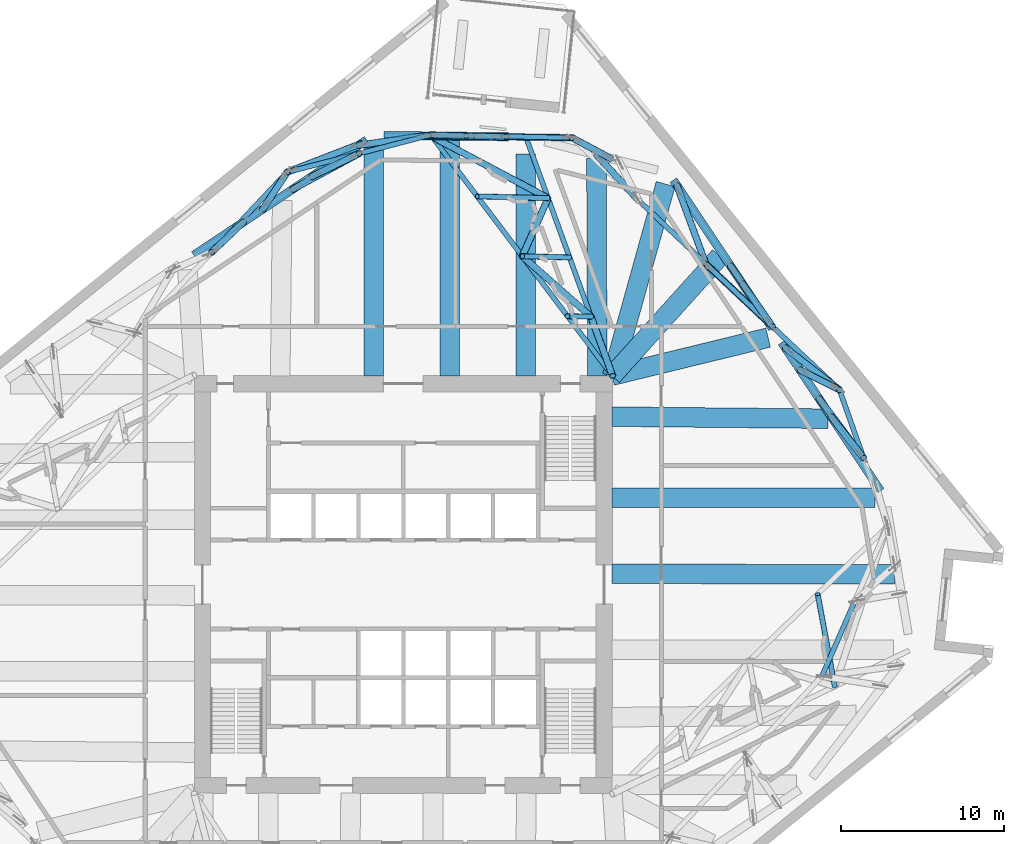
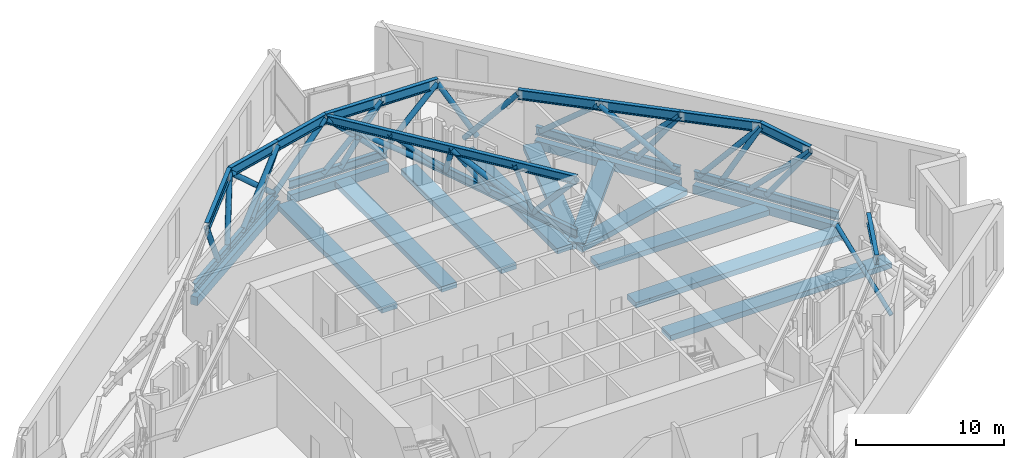
# One storey, part 3 of 17: 30 beams, 30 members.
"""IFC4 building model written with IfcOpenShell, lengths in metres."""

from ifc_helpers import new_model, si_unit, direction, frame, origin, origin_2d, place, context, subcontext, project, spatial, rectangle, hollow_circle, i_section, extrude, material, material_profile, profile_set, type_object, element, save


model = new_model("IFC4")

# Units and contexts
model_context = context("Model", 3, precision=1e-05, world=origin(), true_north=direction((0.0, 1.0)))
body_context = subcontext(model_context, "Body", "Model", "MODEL_VIEW")
ifc_project = project(units=[si_unit("LENGTHUNIT", "METRE"), si_unit("AREAUNIT", "SQUARE_METRE"), si_unit("VOLUMEUNIT", "CUBIC_METRE"), si_unit("PLANEANGLEUNIT", "RADIAN"), si_unit("MASSUNIT", "GRAM", prefix="KILO")], contexts=[model_context])

# Site, building, storey
site_placement = place(None, origin())
site = spatial("IfcSite", under=ifc_project, at=site_placement, CompositionType="ELEMENT")
building_placement = place(site_placement, origin())
building = spatial("IfcBuilding", under=site, at=building_placement, Name="Dilmun Exchange Tower", CompositionType="ELEMENT")
storey_placement = place(building_placement, frame((0.0, 0.0, 183.699951171875)))
storey = spatial("IfcBuildingStorey", under=building, at=storey_placement, Name="L43", CompositionType="ELEMENT", Elevation=183.699951171875)

# Beams
ifc_material_1 = material(Name="Concrete C40/50", Category="concrete")
ifc_material_profile_1 = material_profile(ifc_material_1, rectangle(XDim=1.199951171875, YDim=0.449951171875, at=origin_2d()), Name="1200 x 450")
ifc_profile_set_1 = profile_set([ifc_material_profile_1], Name="Concrete C40/50")
beam_type_1 = type_object("IfcBeamType", Name="RC band beam 1200 x 450 C40/50", PredefinedType="BEAM", material=ifc_profile_set_1)
beam_1_placement = place(storey_placement, frame((7.506103515625, 26.355224609375, -0.724853515625), z_axis=(0.0, -1.0, 0.0), x_axis=(1.0, 0.0, 0.0)))
element("IfcBeam", 1, at=beam_1_placement, inside=storey, type_object=beam_type_1, Name="Band beam 1", PredefinedType="BEAM", context=body_context, shape_type="SweptSolid", body=[
    extrude(rectangle(XDim=1.199951171875, YDim=0.449951171875, at=origin_2d()), origin(), (0.0, 0.0, 1.0), 13.582275390625),
])
beam_2_placement = place(storey_placement, frame((-1.818115234375, 26.87890625, -0.724853515625), z_axis=(0.0, -1.0, 0.0), x_axis=(1.0, 0.0, 0.0)))
element("IfcBeam", 2, at=beam_2_placement, inside=storey, type_object=beam_type_1, Name="Band beam 2", PredefinedType="BEAM", context=body_context, shape_type="SweptSolid", body=[
    extrude(rectangle(XDim=1.199951171875, YDim=0.449951171875, at=origin_2d()), origin(), (0.0, 0.0, 1.0), 14.10595703125),
])
beam_3_placement = place(storey_placement, frame((28.8759765625, 5.31201171875, -0.724853515625), z_axis=(-1.0, 0.0, 0.0), x_axis=(0.0, -1.0, 0.0)))
element("IfcBeam", 3, at=beam_3_placement, inside=storey, type_object=beam_type_1, Name="Band beam 14", PredefinedType="BEAM", context=body_context, shape_type="SweptSolid", body=[
    extrude(rectangle(XDim=1.199951171875, YDim=0.449951171875, at=origin_2d()), origin(), (0.0, 0.0, 1.0), 16.10302734375),
])
beam_4_placement = place(storey_placement, frame((22.33837890625, 15.122802734375, -0.724853515625), z_axis=(-0.971607999859, -0.236596480554, 0.0), x_axis=(0.236596480554, -0.971607999859, 0.0)))
element("IfcBeam", 4, at=beam_4_placement, inside=storey, type_object=beam_type_1, Name="Band beam 15", PredefinedType="BEAM", context=body_context, shape_type="SweptSolid", body=[
    extrude(rectangle(XDim=1.199951171875, YDim=0.449951171875, at=origin_2d()), origin(), (0.0, 0.0, 1.0), 9.84423828125),
])
beam_5_placement = place(storey_placement, frame((16.064453125, 24.524658203125, -0.724853515625), z_axis=(-0.268225004284, -0.963356292904, 0.0), x_axis=(0.963356292904, -0.268225004284, 0.0)))
element("IfcBeam", 5, at=beam_5_placement, inside=storey, type_object=beam_type_1, Name="Band beam 16", PredefinedType="BEAM", context=body_context, shape_type="SweptSolid", body=[
    extrude(rectangle(XDim=1.199951171875, YDim=0.449951171875, at=origin_2d()), origin(), (0.0, 0.0, 1.0), 12.19775390625),
])
beam_6_placement = place(storey_placement, frame((2.841552734375, 27.238525390625, -0.625), z_axis=(0.00016877352, -0.999999985758, 0.0), x_axis=(0.999999985758, 0.00016877352, 0.0)))
element("IfcBeam", 6, at=beam_6_placement, inside=storey, type_object=beam_type_1, Name="Band beam 17", PredefinedType="BEAM", context=body_context, shape_type="SweptSolid", body=[
    extrude(rectangle(XDim=1.199951171875, YDim=0.449951171875, at=origin_2d()), origin(), (0.0, 0.0, 1.0), 14.465576171875),
])
beam_7_placement = place(storey_placement, frame((30.07470703125, 0.6279296875, -0.625), z_axis=(-0.999997699854, 0.002144827713, 0.0), x_axis=(-0.002144827713, -0.999997699854, 0.0)))
element("IfcBeam", 7, at=beam_7_placement, inside=storey, type_object=beam_type_1, Name="Band beam 29", PredefinedType="BEAM", context=body_context, shape_type="SweptSolid", body=[
    extrude(rectangle(XDim=1.199951171875, YDim=0.449951171875, at=origin_2d()), origin(), (0.0, 0.0, 1.0), 17.3017578125),
])
beam_8_placement = place(storey_placement, frame((26.010009765625, 10.159912109375, -0.625), z_axis=(-0.999956454863, 0.009332115424, 0.0), x_axis=(-0.009332115424, -0.999956454863, 0.0)))
element("IfcBeam", 8, at=beam_8_placement, inside=storey, type_object=beam_type_1, Name="Band beam 30", PredefinedType="BEAM", context=body_context, shape_type="SweptSolid", body=[
    extrude(rectangle(XDim=1.199951171875, YDim=0.449951171875, at=origin_2d()), origin(), (0.0, 0.0, 1.0), 13.237548828125),
])
beam_9_placement = place(storey_placement, frame((19.381103515625, 20.102783203125, -0.625), z_axis=(-0.669462647611, -0.742845719819, 0.0), x_axis=(0.742845719819, -0.669462647611, 0.0)))
element("IfcBeam", 9, at=beam_9_placement, inside=storey, type_object=beam_type_1, Name="Band beam 31", PredefinedType="BEAM", context=body_context, shape_type="SweptSolid", body=[
    extrude(rectangle(XDim=1.199951171875, YDim=0.449951171875, at=origin_2d()), origin(), (0.0, 0.0, 1.0), 9.857666015625),
])
beam_10_placement = place(storey_placement, frame((11.82421875, 26.087890625, -0.625), z_axis=(0.004107193345, -0.999991565446, 0.0), x_axis=(0.999991565446, 0.004107193345, 0.0)))
element("IfcBeam", 10, at=beam_10_placement, inside=storey, type_object=beam_type_1, Name="Band beam 32", PredefinedType="BEAM", context=body_context, shape_type="SweptSolid", body=[
    extrude(rectangle(XDim=1.199951171875, YDim=0.449951171875, at=origin_2d()), origin(), (0.0, 0.0, 1.0), 13.31494140625),
])
ifc_material_profile_2 = material_profile(ifc_material_1, rectangle(XDim=0.5, YDim=0.699951171875, at=origin_2d()), Name="500 x 700")
ifc_profile_set_2 = profile_set([ifc_material_profile_2], Name="Concrete C40/50")
beam_type_2 = type_object("IfcBeamType", Name="RC ring beam 500 x 700 C40/50", PredefinedType="SPANDREL", material=ifc_profile_set_2)
beam_11_placement = place(storey_placement, frame((6.443359375, 27.421630859375, -0.75), z_axis=(-0.999938955437, 0.011049226175, 0.0), x_axis=(-0.011049226175, -0.999938955437, 0.0)))
element("IfcBeam", 11, at=beam_11_placement, inside=storey, type_object=beam_type_2, Name="Ring beam 1", PredefinedType="SPANDREL", context=body_context, shape_type="SweptSolid", body=[
    extrude(rectangle(XDim=0.5, YDim=0.699951171875, at=origin_2d()), origin(), (0.0, 0.0, 1.0), 7.623046875),
])
beam_12_placement = place(storey_placement, frame((-2.253173828125, 27.222900390625, -0.75), z_axis=(-0.832002986666, -0.554771151177, 0.0), x_axis=(0.554771151177, -0.832002986666, 0.0)))
element("IfcBeam", 12, at=beam_12_placement, inside=storey, type_object=beam_type_2, Name="Ring beam 2", PredefinedType="SPANDREL", context=body_context, shape_type="SweptSolid", body=[
    extrude(rectangle(XDim=0.5, YDim=0.699951171875, at=origin_2d()), origin(), (0.0, 0.0, 1.0), 12.7041015625),
])
for number, where, z_axis, x_axis, name in (
    (13, (29.219970703125, 5.747314453125, -0.75), (-0.554731197186, 0.832029626196, 0.0), (-0.832029626196, -0.554731197186, 0.0), "Ring beam 14"),
    (14, (22.5908203125, 15.690185546875, -0.75), (-0.554731197186, 0.832029626196, 0.0), (-0.832029626196, -0.554731197186, 0.0), "Ring beam 15"),
):
    element("IfcBeam", number, at=place(storey_placement, frame(where, z_axis=z_axis, x_axis=x_axis)), inside=storey, type_object=beam_type_2, Name=name, PredefinedType="SPANDREL", context=body_context, shape_type="SweptSolid", body=[
        extrude(rectangle(XDim=0.5, YDim=0.699951171875, at=origin_2d()), origin(), (0.0, 0.0, 1.0), 10.904052734375),
    ])
ifc_material_2 = material(Name="Steel S355", Category="steel")
ifc_material_profile_3 = material_profile(ifc_material_2, i_section(OverallWidth=0.300048828125, OverallDepth=0.699951171875, WebThickness=0.01708984375, FlangeThickness=0.031982421875, FilletRadius=0.027099609375, at=origin_2d()), Name="HEB 700")
ifc_profile_set_3 = profile_set([ifc_material_profile_3], Name="Steel S355")
beam_type_3 = type_object("IfcBeamType", Name="belt bottom chord HEB 700", PredefinedType="BEAM", material=ifc_profile_set_3)
beam_13_placement = place(storey_placement, frame((6.443359375, 27.421630859375, 0.35009765625), z_axis=(-0.999938955437, 0.011049226175, 0.0), x_axis=(-0.011049226175, -0.999938955437, 0.0)))
element("IfcBeam", 15, at=beam_13_placement, inside=storey, type_object=beam_type_3, Name="Belt bottom chord 1", PredefinedType="BEAM", context=body_context, shape_type="SweptSolid", body=[
    extrude(i_section(OverallWidth=0.300048828125, OverallDepth=0.699951171875, WebThickness=0.01708984375, FlangeThickness=0.031982421875, FilletRadius=0.027099609375, at=origin_2d()), origin(), (0.0, 0.0, 1.0), 7.623046875),
])
beam_14_placement = place(storey_placement, frame((-2.253173828125, 27.222900390625, 0.35009765625), z_axis=(-0.832002986666, -0.554771151177, 0.0), x_axis=(0.554771151177, -0.832002986666, 0.0)))
element("IfcBeam", 16, at=beam_14_placement, inside=storey, type_object=beam_type_3, Name="Belt bottom chord 2", PredefinedType="BEAM", context=body_context, shape_type="SweptSolid", body=[
    extrude(i_section(OverallWidth=0.300048828125, OverallDepth=0.699951171875, WebThickness=0.01708984375, FlangeThickness=0.031982421875, FilletRadius=0.027099609375, at=origin_2d()), origin(), (0.0, 0.0, 1.0), 12.7041015625),
])
for number, where, z_axis, x_axis, name in (
    (17, (29.219970703125, 5.747314453125, 0.35009765625), (-0.554731197186, 0.832029626196, 0.0), (-0.832029626196, -0.554731197186, 0.0), "Belt bottom chord 14"),
    (18, (22.5908203125, 15.690185546875, 0.35009765625), (-0.554731197186, 0.832029626196, 0.0), (-0.832029626196, -0.554731197186, 0.0), "Belt bottom chord 15"),
):
    element("IfcBeam", number, at=place(storey_placement, frame(where, z_axis=z_axis, x_axis=x_axis)), inside=storey, type_object=beam_type_3, Name=name, PredefinedType="BEAM", context=body_context, shape_type="SweptSolid", body=[
        extrude(i_section(OverallWidth=0.300048828125, OverallDepth=0.699951171875, WebThickness=0.01708984375, FlangeThickness=0.031982421875, FilletRadius=0.027099609375, at=origin_2d()), origin(), (0.0, 0.0, 1.0), 10.904052734375),
    ])
ifc_material_profile_4 = material_profile(ifc_material_2, i_section(OverallWidth=0.300048828125, OverallDepth=0.699951171875, WebThickness=0.01708984375, FlangeThickness=0.031982421875, FilletRadius=0.027099609375, at=origin_2d()), Name="HEB 700")
ifc_profile_set_4 = profile_set([ifc_material_profile_4], Name="Steel S355")
beam_type_4 = type_object("IfcBeamType", Name="outrigger chord HEB 700", PredefinedType="BEAM", material=ifc_profile_set_4)
beam_15_placement = place(storey_placement, frame((12.80908203125, 12.774658203125, 0.35009765625), z_axis=(-0.340674092314, 0.940181452075, 0.0), x_axis=(-0.940181452075, -0.340674092314, 0.0)))
element("IfcBeam", 19, at=beam_15_placement, inside=storey, type_object=beam_type_4, Name="Outrigger bottom chord 1", PredefinedType="BEAM", context=body_context, shape_type="SweptSolid", body=[
    extrude(i_section(OverallWidth=0.300048828125, OverallDepth=0.699951171875, WebThickness=0.01708984375, FlangeThickness=0.031982421875, FilletRadius=0.027099609375, at=origin_2d()), origin(), (0.0, 0.0, 1.0), 15.443603515625),
])
beam_16_placement = place(storey_placement, frame((12.81640625, 12.7783203125, 4.77001953125), z_axis=(-0.602127331281, 0.798400073224, 0.0), x_axis=(-0.798400073224, -0.602127331281, 0.0)))
element("IfcBeam", 20, at=beam_16_placement, inside=storey, type_object=beam_type_4, Name="Outrigger top chord 1", PredefinedType="BEAM", context=body_context, shape_type="SweptSolid", body=[
    extrude(i_section(OverallWidth=0.300048828125, OverallDepth=0.699951171875, WebThickness=0.01708984375, FlangeThickness=0.031982421875, FilletRadius=0.027099609375, at=origin_2d()), origin(), (0.0, 0.0, 1.0), 18.3623046875),
])

# Members
ifc_material_profile_5 = material_profile(ifc_material_2, hollow_circle(Radius=0.161865234375, WallThickness=0.01611328125, at=origin_2d()), Name="CHS 323.9x16")
ifc_profile_set_5 = profile_set([ifc_material_profile_5], Name="Steel S355")
member_type_1 = type_object("IfcMemberType", Name="outrigger post CHS 323.9x16", PredefinedType="POST", material=ifc_profile_set_5)
member_1_placement = place(storey_placement, frame((10.05224609375, 16.443603515625, 4.77001953125), z_axis=(0.310081885212, -0.00840188004, -0.950672726481), x_axis=(0.0270857406, 0.999633114025, 0.0)))
element("IfcMember", 21, at=member_1_placement, inside=storey, type_object=member_type_1, Name="Outrigger post 1.1", PredefinedType="POST", context=body_context, shape_type="SweptSolid", body=[
    extrude(hollow_circle(Radius=0.161865234375, WallThickness=0.01611328125, at=origin_2d()), origin(), (0.0, 0.0, 1.0), 4.649169921875),
])
member_2_placement = place(storey_placement, frame((7.2880859375, 20.1083984375, 4.77001953125), z_axis=(0.547285351764, -0.014005697769, -0.836828885839), x_axis=(0.025582840354, 0.999672705579, 0.0)))
element("IfcMember", 22, at=member_2_placement, inside=storey, type_object=member_type_1, Name="Outrigger post 1.2", PredefinedType="POST", context=body_context, shape_type="SweptSolid", body=[
    extrude(hollow_circle(Radius=0.161865234375, WallThickness=0.01611328125, at=origin_2d()), origin(), (0.0, 0.0, 1.0), 5.28173828125),
])
member_3_placement = place(storey_placement, frame((4.52392578125, 23.773681640625, 4.77001953125), z_axis=(0.700464096448, -0.017655447013, -0.713469224829), x_axis=(0.025197353344, 0.999682496288, 0.0)))
element("IfcMember", 23, at=member_3_placement, inside=storey, type_object=member_type_1, Name="Outrigger post 1.3", PredefinedType="POST", context=body_context, shape_type="SweptSolid", body=[
    extrude(hollow_circle(Radius=0.161865234375, WallThickness=0.01611328125, at=origin_2d()), origin(), (0.0, 0.0, 1.0), 6.195068359375),
])
member_4_placement = place(storey_placement, frame((25.372314453125, -0.583251953125, 4.77001953125), z_axis=(0.144598346735, -0.779153300311, -0.609927415957), x_axis=(0.983211733751, 0.182468316741, 0.0)))
element("IfcMember", 24, at=member_4_placement, inside=storey, type_object=member_type_1, Name="Outrigger post 4.3", PredefinedType="POST", context=body_context, shape_type="SweptSolid", body=[
    extrude(hollow_circle(Radius=0.161865234375, WallThickness=0.01611328125, at=origin_2d()), origin(), (0.0, 0.0, 1.0), 7.24658203125),
])

# Beams
ifc_material_profile_6 = material_profile(ifc_material_2, i_section(OverallWidth=0.302978515625, OverallDepth=0.81396484375, WebThickness=0.02099609375, FlangeThickness=0.0400390625, FilletRadius=0.030029296875, at=origin_2d()), Name="HEM 800")
ifc_profile_set_6 = profile_set([ifc_material_profile_6], Name="Steel S355")
beam_type_5 = type_object("IfcBeamType", Name="transfer chord HEM 800", PredefinedType="BEAM", material=ifc_profile_set_6)
beam_17_placement = place(storey_placement, frame((1.68505859375, 27.5380859375, 4.81298828125), z_axis=(-0.967991581128, -0.250982666465, 0.0), x_axis=(0.250982666465, -0.967991581128, 0.0)))
element("IfcBeam", 25, at=beam_17_placement, inside=storey, type_object=beam_type_5, Name="Transfer chord 1", PredefinedType="BEAM", context=body_context, shape_type="SweptSolid", body=[
    extrude(i_section(OverallWidth=0.302978515625, OverallDepth=0.81396484375, WebThickness=0.02099609375, FlangeThickness=0.0400390625, FilletRadius=0.030029296875, at=origin_2d()), origin(), (0.0, 0.0, 1.0), 4.544677734375),
])
beam_18_placement = place(storey_placement, frame((-2.714111328125, 26.3974609375, 4.81298828125), z_axis=(-0.968001248431, -0.250945378589, 0.0), x_axis=(0.250945378589, -0.968001248431, 0.0)))
element("IfcBeam", 26, at=beam_18_placement, inside=storey, type_object=beam_type_5, Name="Transfer chord 2", PredefinedType="BEAM", context=body_context, shape_type="SweptSolid", body=[
    extrude(i_section(OverallWidth=0.302978515625, OverallDepth=0.81396484375, WebThickness=0.02099609375, FlangeThickness=0.0400390625, FilletRadius=0.030029296875, at=origin_2d()), origin(), (0.0, 0.0, 1.0), 4.54443359375),
])
beam_19_placement = place(storey_placement, frame((-7.113037109375, 25.257080078125, 4.81298828125), z_axis=(-0.685892507257, -0.727702871019, 0.0), x_axis=(0.727702871019, -0.685892507257, 0.0)))
element("IfcBeam", 27, at=beam_19_placement, inside=storey, type_object=beam_type_5, Name="Transfer chord 3", PredefinedType="BEAM", context=body_context, shape_type="SweptSolid", body=[
    extrude(i_section(OverallWidth=0.302978515625, OverallDepth=0.81396484375, WebThickness=0.02099609375, FlangeThickness=0.0400390625, FilletRadius=0.030029296875, at=origin_2d()), origin(), (0.0, 0.0, 1.0), 6.750244140625),
])
beam_20_placement = place(storey_placement, frame((25.633056640625, -5.60888671875, 4.81298828125), z_axis=(0.401224690202, 0.915979665698, 0.0), x_axis=(-0.915979665698, 0.401224690202, 0.0)))
element("IfcBeam", 28, at=beam_20_placement, inside=storey, type_object=beam_type_5, Name="Transfer chord 23", PredefinedType="BEAM", context=body_context, shape_type="SweptSolid", body=[
    extrude(i_section(OverallWidth=0.302978515625, OverallDepth=0.81396484375, WebThickness=0.02099609375, FlangeThickness=0.0400390625, FilletRadius=0.030029296875, at=origin_2d()), origin(), (0.0, 0.0, 1.0), 5.01708984375),
])
beam_21_placement = place(storey_placement, frame((28.1826171875, 7.756591796875, 4.81298828125), z_axis=(-0.333477627004, 0.942758013643, 0.0), x_axis=(-0.942758013643, -0.333477627004, 0.0)))
element("IfcBeam", 29, at=beam_21_placement, inside=storey, type_object=beam_type_5, Name="Transfer chord 26", PredefinedType="BEAM", context=body_context, shape_type="SweptSolid", body=[
    extrude(i_section(OverallWidth=0.302978515625, OverallDepth=0.81396484375, WebThickness=0.02099609375, FlangeThickness=0.0400390625, FilletRadius=0.030029296875, at=origin_2d()), origin(), (0.0, 0.0, 1.0), 4.427734375),
])
beam_22_placement = place(storey_placement, frame((26.7060546875, 11.930908203125, 4.81298828125), z_axis=(-0.727676059276, 0.685920952266, 0.0), x_axis=(-0.685920952266, -0.727676059276, 0.0)))
element("IfcBeam", 30, at=beam_22_placement, inside=storey, type_object=beam_type_5, Name="Transfer chord 27", PredefinedType="BEAM", context=body_context, shape_type="SweptSolid", body=[
    extrude(i_section(OverallWidth=0.302978515625, OverallDepth=0.81396484375, WebThickness=0.02099609375, FlangeThickness=0.0400390625, FilletRadius=0.030029296875, at=origin_2d()), origin(), (0.0, 0.0, 1.0), 5.624755859375),
])
beam_23_placement = place(storey_placement, frame((22.613037109375, 15.7890625, 4.81298828125), z_axis=(-0.727697723959, 0.685897968028, 0.0), x_axis=(-0.685897968028, -0.727697723959, 0.0)))
element("IfcBeam", 31, at=beam_23_placement, inside=storey, type_object=beam_type_5, Name="Transfer chord 28", PredefinedType="BEAM", context=body_context, shape_type="SweptSolid", body=[
    extrude(i_section(OverallWidth=0.302978515625, OverallDepth=0.81396484375, WebThickness=0.02099609375, FlangeThickness=0.0400390625, FilletRadius=0.030029296875, at=origin_2d()), origin(), (0.0, 0.0, 1.0), 5.62451171875),
])
beam_24_placement = place(storey_placement, frame((18.52001953125, 19.64697265625, 4.81298828125), z_axis=(-0.727673573307, 0.685923589557, 0.0), x_axis=(-0.685923589557, -0.727673573307, 0.0)))
element("IfcBeam", 32, at=beam_24_placement, inside=storey, type_object=beam_type_5, Name="Transfer chord 29", PredefinedType="BEAM", context=body_context, shape_type="SweptSolid", body=[
    extrude(i_section(OverallWidth=0.302978515625, OverallDepth=0.81396484375, WebThickness=0.02099609375, FlangeThickness=0.0400390625, FilletRadius=0.030029296875, at=origin_2d()), origin(), (0.0, 0.0, 1.0), 5.62548828125),
])
for number, where, z_axis, x_axis, name in (
    (33, (10.3330078125, 27.364013671875, 4.81298828125), (-0.999798046094, 0.020096443138, 0.0), (-0.020096443138, -0.999798046094, 0.0), "Transfer chord 31"),
    (34, (6.009033203125, 27.450927734375, 4.81298828125), (-0.999796910274, 0.020152870926, 0.0), (-0.020152870926, -0.999796910274, 0.0), "Transfer chord 32"),
):
    element("IfcBeam", number, at=place(storey_placement, frame(where, z_axis=z_axis, x_axis=x_axis)), inside=storey, type_object=beam_type_5, Name=name, PredefinedType="BEAM", context=body_context, shape_type="SweptSolid", body=[
        extrude(i_section(OverallWidth=0.302978515625, OverallDepth=0.81396484375, WebThickness=0.02099609375, FlangeThickness=0.0400390625, FilletRadius=0.030029296875, at=origin_2d()), origin(), (0.0, 0.0, 1.0), 4.324951171875),
    ])

# Members
ifc_material_profile_7 = material_profile(ifc_material_2, hollow_circle(Radius=0.203125, WallThickness=0.02490234375, at=origin_2d()), Name="CHS 406.4x25")
ifc_profile_set_7 = profile_set([ifc_material_profile_7], Name="Steel S355")
member_type_2 = type_object("IfcMemberType", Name="truss diagonal CHS 406.4x25", PredefinedType="BRACE", material=ifc_profile_set_7)
member_5_placement = place(storey_placement, frame((1.68505859375, 27.5380859375, 4.81298828125), z_axis=(-0.699968587351, -0.100641999463, -0.707046791002), x_axis=(0.14231720757, -0.989821101225, 0.0)))
element("IfcMember", 35, at=member_5_placement, inside=storey, type_object=member_type_2, Name="Truss diagonal 1", PredefinedType="BRACE", context=body_context, shape_type="SweptSolid", body=[
    extrude(hollow_circle(Radius=0.203125, WallThickness=0.02490234375, at=origin_2d()), origin(), (0.0, 0.0, 1.0), 6.31201171875),
])
member_6_placement = place(storey_placement, frame((1.68505859375, 27.5380859375, 4.81298828125), z_axis=(0.71526210166, -0.024742024249, -0.698418182871), x_axis=(0.034570872154, 0.999402248746, 0.0)))
element("IfcMember", 36, at=member_6_placement, inside=storey, type_object=member_type_2, Name="Truss diagonal 2", PredefinedType="BRACE", context=body_context, shape_type="SweptSolid", body=[
    extrude(hollow_circle(Radius=0.203125, WallThickness=0.02490234375, at=origin_2d()), origin(), (0.0, 0.0, 1.0), 3.029296875),
])
member_7_placement = place(storey_placement, frame((3.851806640625, 27.463134765625, 2.697265625), z_axis=(0.715586820113, -0.011594083281, -0.698427576857), x_axis=(0.016200077287, 0.999868770137, 0.0)))
element("IfcMember", 37, at=member_7_placement, inside=storey, type_object=member_type_2, Name="Truss diagonal 2B", PredefinedType="BRACE", context=body_context, shape_type="SweptSolid", body=[
    extrude(hollow_circle(Radius=0.203125, WallThickness=0.02490234375, at=origin_2d()), origin(), (0.0, 0.0, 1.0), 0.5263671875),
])
member_8_placement = place(storey_placement, frame((4.228515625, 27.45703125, 2.32958984375), z_axis=(0.715501179695, -0.012275986982, -0.698503659259), x_axis=(0.017154661507, 0.999852847967, 0.0)))
element("IfcMember", 38, at=member_8_placement, inside=storey, type_object=member_type_2, Name="Truss diagonal 2C", PredefinedType="BRACE", context=body_context, shape_type="SweptSolid", body=[
    extrude(hollow_circle(Radius=0.203125, WallThickness=0.02490234375, at=origin_2d()), origin(), (0.0, 0.0, 1.0), 2.58544921875),
])
member_9_placement = place(storey_placement, frame((-2.714111328125, 26.3974609375, 4.81298828125), z_axis=(-0.526722620756, -0.257156230699, -0.810206118094), x_axis=(0.438724545669, -0.898621596128, 0.0)))
element("IfcMember", 39, at=member_9_placement, inside=storey, type_object=member_type_2, Name="Truss diagonal 3", PredefinedType="BRACE", context=body_context, shape_type="SweptSolid", body=[
    extrude(hollow_circle(Radius=0.203125, WallThickness=0.02490234375, at=origin_2d()), origin(), (0.0, 0.0, 1.0), 5.50830078125),
])
member_10_placement = place(storey_placement, frame((-2.714111328125, 26.3974609375, 4.81298828125), z_axis=(-0.633009340041, -0.341456374118, -0.694770983846), x_axis=(0.474752003269, -0.880119614253, 0.0)))
element("IfcMember", 40, at=member_10_placement, inside=storey, type_object=member_type_2, Name="Truss diagonal 4", PredefinedType="BRACE", context=body_context, shape_type="SweptSolid", body=[
    extrude(hollow_circle(Radius=0.203125, WallThickness=0.02490234375, at=origin_2d()), origin(), (0.0, 0.0, 1.0), 6.423583984375),
])
member_11_placement = place(storey_placement, frame((-7.113037109375, 25.257080078125, 4.81298828125), z_axis=(0.687938109645, 0.265813581381, -0.675340134489), x_axis=(-0.360422063152, 0.932789331196, 0.0)))
element("IfcMember", 41, at=member_11_placement, inside=storey, type_object=member_type_2, Name="Truss diagonal 5", PredefinedType="BRACE", context=body_context, shape_type="SweptSolid", body=[
    extrude(hollow_circle(Radius=0.203125, WallThickness=0.02490234375, at=origin_2d()), origin(), (0.0, 0.0, 1.0), 6.6083984375),
])
member_12_placement = place(storey_placement, frame((-7.113037109375, 25.257080078125, 4.81298828125), z_axis=(-0.285536613552, -0.434380167425, -0.854273207158), x_axis=(0.835628845659, -0.549294485957, 0.0)))
element("IfcMember", 42, at=member_12_placement, inside=storey, type_object=member_type_2, Name="Truss diagonal 6", PredefinedType="BRACE", context=body_context, shape_type="SweptSolid", body=[
    extrude(hollow_circle(Radius=0.203125, WallThickness=0.02490234375, at=origin_2d()), origin(), (0.0, 0.0, 1.0), 5.22412109375),
])
member_13_placement = place(storey_placement, frame((-11.742919921875, 20.344970703125, 4.81298828125), z_axis=(0.374417695199, 0.35525403141, -0.856508005035), x_axis=(-0.688298408045, 0.725427667988, 0.0)))
element("IfcMember", 43, at=member_13_placement, inside=storey, type_object=member_type_2, Name="Truss diagonal 8", PredefinedType="BRACE", context=body_context, shape_type="SweptSolid", body=[
    extrude(hollow_circle(Radius=0.203125, WallThickness=0.02490234375, at=origin_2d()), origin(), (0.0, 0.0, 1.0), 5.21044921875),
])
member_14_placement = place(storey_placement, frame((28.1826171875, 7.756591796875, 4.81298828125), z_axis=(-0.360972048086, 0.458942562121, -0.811831820745), x_axis=(-0.786006799716, -0.618217850599, 0.0)))
element("IfcMember", 44, at=member_14_placement, inside=storey, type_object=member_type_2, Name="Truss diagonal 51", PredefinedType="BRACE", context=body_context, shape_type="SweptSolid", body=[
    extrude(hollow_circle(Radius=0.203125, WallThickness=0.02490234375, at=origin_2d()), origin(), (0.0, 0.0, 1.0), 5.497314453125),
])
member_15_placement = place(storey_placement, frame((28.1826171875, 7.756591796875, 4.81298828125), z_axis=(-0.428540138326, 0.571654784378, -0.699688614558), x_axis=(-0.800134987459, -0.599819974529, 0.0)))
element("IfcMember", 45, at=member_15_placement, inside=storey, type_object=member_type_2, Name="Truss diagonal 52", PredefinedType="BRACE", context=body_context, shape_type="SweptSolid", body=[
    extrude(hollow_circle(Radius=0.203125, WallThickness=0.02490234375, at=origin_2d()), origin(), (0.0, 0.0, 1.0), 6.37841796875),
])
member_16_placement = place(storey_placement, frame((26.7060546875, 11.930908203125, 4.81298828125), z_axis=(-0.542320990143, 0.419907641784, -0.727712522925), x_axis=(-0.612215335021, -0.79069107973, 0.0)))
element("IfcMember", 46, at=member_16_placement, inside=storey, type_object=member_type_2, Name="Truss diagonal 53", PredefinedType="BRACE", context=body_context, shape_type="SweptSolid", body=[
    extrude(hollow_circle(Radius=0.203125, WallThickness=0.02490234375, at=origin_2d()), origin(), (0.0, 0.0, 1.0), 6.1328125),
])
member_17_placement = place(storey_placement, frame((26.7060546875, 11.930908203125, 4.81298828125), z_axis=(-0.463252271607, 0.232421458831, -0.855206172993), x_axis=(-0.448440789958, -0.893812540694, 0.0)))
element("IfcMember", 47, at=member_17_placement, inside=storey, type_object=member_type_2, Name="Truss diagonal 54", PredefinedType="BRACE", context=body_context, shape_type="SweptSolid", body=[
    extrude(hollow_circle(Radius=0.203125, WallThickness=0.02490234375, at=origin_2d()), origin(), (0.0, 0.0, 1.0), 5.218505859375),
])
member_18_placement = place(storey_placement, frame((22.613037109375, 15.7890625, 4.81298828125), z_axis=(-0.334293241575, 0.477390308679, -0.812617081913), x_axis=(-0.819135155231, -0.57360055567, 0.0)))
element("IfcMember", 48, at=member_18_placement, inside=storey, type_object=member_type_2, Name="Truss diagonal 55", PredefinedType="BRACE", context=body_context, shape_type="SweptSolid", body=[
    extrude(hollow_circle(Radius=0.203125, WallThickness=0.02490234375, at=origin_2d()), origin(), (0.0, 0.0, 1.0), 5.491943359375),
])
member_19_placement = place(storey_placement, frame((22.613037109375, 15.7890625, 4.81298828125), z_axis=(-0.405560448907, 0.587580023256, -0.700193143749), x_axis=(-0.822994838697, -0.568048849552, 0.0)))
element("IfcMember", 49, at=member_19_placement, inside=storey, type_object=member_type_2, Name="Truss diagonal 56", PredefinedType="BRACE", context=body_context, shape_type="SweptSolid", body=[
    extrude(hollow_circle(Radius=0.203125, WallThickness=0.02490234375, at=origin_2d()), origin(), (0.0, 0.0, 1.0), 6.373779296875),
])
member_20_placement = place(storey_placement, frame((18.52001953125, 19.64697265625, 4.81298828125), z_axis=(-0.260490649347, 0.707225820934, -0.657249008982), x_axis=(-0.938371620707, -0.345627981292, 0.0)))
element("IfcMember", 50, at=member_20_placement, inside=storey, type_object=member_type_2, Name="Truss diagonal 57", PredefinedType="BRACE", context=body_context, shape_type="SweptSolid", body=[
    extrude(hollow_circle(Radius=0.203125, WallThickness=0.02490234375, at=origin_2d()), origin(), (0.0, 0.0, 1.0), 6.790283203125),
])
member_21_placement = place(storey_placement, frame((18.52001953125, 19.64697265625, 4.81298828125), z_axis=(0.556808377429, -0.525268340372, -0.643473077469), x_axis=(0.686204817964, 0.7274083776, 0.0)))
element("IfcMember", 51, at=member_21_placement, inside=storey, type_object=member_type_2, Name="Truss diagonal 58", PredefinedType="BRACE", context=body_context, shape_type="SweptSolid", body=[
    extrude(hollow_circle(Radius=0.203125, WallThickness=0.02490234375, at=origin_2d()), origin(), (0.0, 0.0, 1.0), 6.935546875),
])
member_22_placement = place(storey_placement, frame((14.426513671875, 23.505615234375, 4.81298828125), z_axis=(-0.440891423802, 0.478124102005, -0.759613122253), x_axis=(-0.735151186422, -0.677903188592, 0.0)))
element("IfcMember", 52, at=member_22_placement, inside=storey, type_object=member_type_2, Name="Truss diagonal 59", PredefinedType="BRACE", context=body_context, shape_type="SweptSolid", body=[
    extrude(hollow_circle(Radius=0.203125, WallThickness=0.02490234375, at=origin_2d()), origin(), (0.0, 0.0, 1.0), 5.875244140625),
])
member_23_placement = place(storey_placement, frame((10.3330078125, 27.364013671875, 4.81298828125), z_axis=(-0.704210259796, 0.010136153852, -0.709919128058), x_axis=(-0.014392156157, -0.999896427557, 0.0)))
element("IfcMember", 53, at=member_23_placement, inside=storey, type_object=member_type_2, Name="Truss diagonal 61", PredefinedType="BRACE", context=body_context, shape_type="SweptSolid", body=[
    extrude(hollow_circle(Radius=0.203125, WallThickness=0.02490234375, at=origin_2d()), origin(), (0.0, 0.0, 1.0), 6.286376953125),
])
member_24_placement = place(storey_placement, frame((10.3330078125, 27.364013671875, 4.81298828125), z_axis=(0.453661579186, -0.243269162746, -0.857327992094), x_axis=(0.47257786041, 0.881288923027, 0.0)))
element("IfcMember", 54, at=member_24_placement, inside=storey, type_object=member_type_2, Name="Truss diagonal 62", PredefinedType="BRACE", context=body_context, shape_type="SweptSolid", body=[
    extrude(hollow_circle(Radius=0.203125, WallThickness=0.02490234375, at=origin_2d()), origin(), (0.0, 0.0, 1.0), 5.20556640625),
])
member_25_placement = place(storey_placement, frame((6.009033203125, 27.450927734375, 4.81298828125), z_axis=(-0.582733142771, 0.002000533371, -0.812661111524), x_axis=(-0.003432997774, -0.999994107246, 0.0)))
element("IfcMember", 55, at=member_25_placement, inside=storey, type_object=member_type_2, Name="Truss diagonal 63", PredefinedType="BRACE", context=body_context, shape_type="SweptSolid", body=[
    extrude(hollow_circle(Radius=0.203125, WallThickness=0.02490234375, at=origin_2d()), origin(), (0.0, 0.0, 1.0), 5.49169921875),
])
member_26_placement = place(storey_placement, frame((6.009033203125, 27.450927734375, 4.81298828125), z_axis=(-0.713905480035, 0.004060416423, -0.700230303967), x_axis=(-0.005687518675, -0.999983825935, 0.0)))
element("IfcMember", 56, at=member_26_placement, inside=storey, type_object=member_type_2, Name="Truss diagonal 64", PredefinedType="BRACE", context=body_context, shape_type="SweptSolid", body=[
    extrude(hollow_circle(Radius=0.203125, WallThickness=0.02490234375, at=origin_2d()), origin(), (0.0, 0.0, 1.0), 6.37353515625),
])
member_27_placement = place(storey_placement, frame((12.81640625, 12.7783203125, 4.77001953125), z_axis=(-0.225373980415, 0.617958229852, -0.753215902056), x_axis=(-0.939469822023, -0.342631658648, 0.0)))
element("IfcMember", 57, at=member_27_placement, inside=storey, type_object=member_type_2, Name="Outrigger diagonal 1.0", PredefinedType="BRACE", context=body_context, shape_type="SweptSolid", body=[
    extrude(hollow_circle(Radius=0.203125, WallThickness=0.02490234375, at=origin_2d()), origin(), (0.0, 0.0, 1.0), 5.8681640625),
])
member_28_placement = place(storey_placement, frame((7.2880859375, 20.1083984375, 4.77001953125), z_axis=(0.589260014292, -0.518933283614, -0.619258332777), x_axis=(0.660903805614, 0.750470625491, 0.0)))
element("IfcMember", 58, at=member_28_placement, inside=storey, type_object=member_type_2, Name="Outrigger diagonal 1.1", PredefinedType="BRACE", context=body_context, shape_type="SweptSolid", body=[
    extrude(hollow_circle(Radius=0.203125, WallThickness=0.02490234375, at=origin_2d()), origin(), (0.0, 0.0, 1.0), 7.137451171875),
])
member_29_placement = place(storey_placement, frame((7.2880859375, 20.1083984375, 4.77001953125), z_axis=(0.267553819474, 0.603986574804, -0.750743079317), x_axis=(-0.914307881608, 0.40501987313, 0.0)))
element("IfcMember", 59, at=member_29_placement, inside=storey, type_object=member_type_2, Name="Outrigger diagonal 1.2", PredefinedType="BRACE", context=body_context, shape_type="SweptSolid", body=[
    extrude(hollow_circle(Radius=0.203125, WallThickness=0.02490234375, at=origin_2d()), origin(), (0.0, 0.0, 1.0), 5.887451171875),
])
member_30_placement = place(storey_placement, frame((1.760009765625, 27.438720703125, 4.77001953125), z_axis=(0.77393309605, -0.411239239214, -0.481570193191), x_axis=(0.469232894184, 0.883074453835, 0.0)))
element("IfcMember", 60, at=member_30_placement, inside=storey, type_object=member_type_2, Name="Outrigger diagonal 1.3", PredefinedType="BRACE", context=body_context, shape_type="SweptSolid", body=[
    extrude(hollow_circle(Radius=0.203125, WallThickness=0.02490234375, at=origin_2d()), origin(), (0.0, 0.0, 1.0), 9.17822265625),
])

save(model, "model.ifc")
